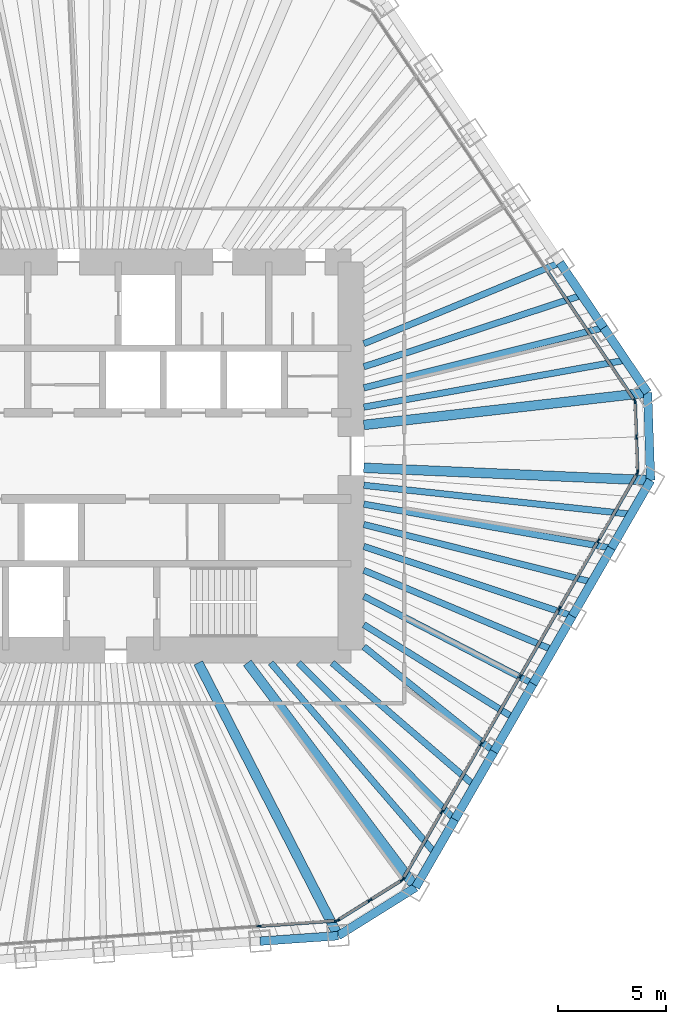
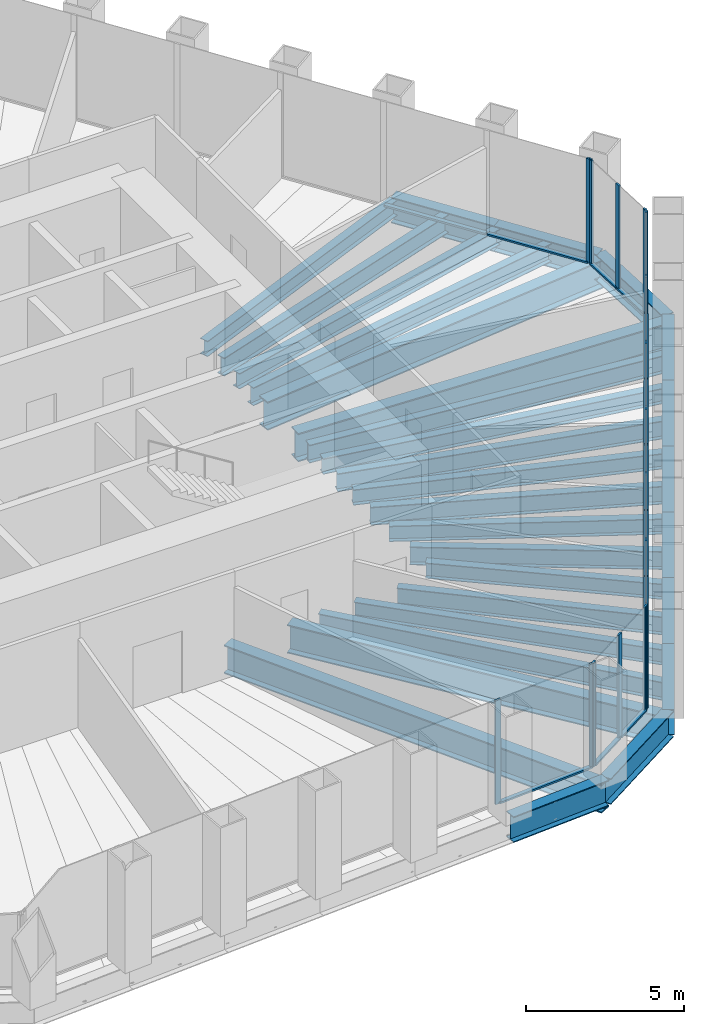
# One storey, part 4 of 14: 30 beams, 29 members, 5 elements without a shape of their own.
"""IFC4 building model written with IfcOpenShell, lengths in metres."""

from ifc_helpers import new_model, si_unit, direction, frame, origin, origin_2d, place, context, subcontext, project, spatial, rectangle, i_section, extrude, material, material_profile, profile_set, type_object, element, aggregate, save


model = new_model("IFC4")

# Units and contexts
model_context = context("Model", 3, precision=1e-05, world=origin(), true_north=direction((0.0, 1.0)))
body_context = subcontext(model_context, "Body", "Model", "MODEL_VIEW")
ifc_project = project(units=[si_unit("LENGTHUNIT", "METRE"), si_unit("AREAUNIT", "SQUARE_METRE"), si_unit("VOLUMEUNIT", "CUBIC_METRE"), si_unit("PLANEANGLEUNIT", "RADIAN"), si_unit("MASSUNIT", "GRAM", prefix="KILO")], contexts=[model_context])

# Site, building, storey
site_placement = place(None, origin())
site = spatial("IfcSite", under=ifc_project, at=site_placement, CompositionType="ELEMENT")
building_placement = place(site_placement, origin())
building = spatial("IfcBuilding", under=site, at=building_placement, Name="Qingtian Harvest Tower", CompositionType="ELEMENT")
storey_placement = place(building_placement, frame((0.0, 0.0, 235.0)))
storey = spatial("IfcBuildingStorey", under=building, at=storey_placement, Name="L51", CompositionType="ELEMENT", Elevation=235.0)

# Beams
ifc_material_1 = material(Name="Steel SM570MC", Category="steel")
ifc_material_profile_1 = material_profile(ifc_material_1, i_section(OverallWidth=0.449951171875, OverallDepth=1.10009765625, WebThickness=0.02197265625, FlangeThickness=0.044921875, at=origin_2d()), Name="H1100x450x22x45")
ifc_profile_set_1 = profile_set([ifc_material_profile_1], Name="Steel SM570MC")
beam_type_1 = type_object("IfcBeamType", Name="Corner floor beam FB8 H1100x450x22x45", PredefinedType="BEAM", material=ifc_profile_set_1)
beam_1_placement = place(storey_placement, frame((25.762451171875, 2.936279296875, -0.719970703125), z_axis=(-0.993566901619, -0.113246686522, 0.0), x_axis=(0.113246686522, -0.993566901619, 0.0)))
element("IfcBeam", 1, at=beam_1_placement, inside=storey, type_object=beam_type_1, Name="Floor beam FB8 NE6", PredefinedType="BEAM", context=body_context, shape_type="SweptSolid", body=[
    extrude(i_section(OverallWidth=0.449951171875, OverallDepth=1.10009765625, WebThickness=0.02197265625, FlangeThickness=0.044921875, at=origin_2d()), origin(), (0.0, 0.0, 1.0), 13.24755859375),
])
beam_2_placement = place(storey_placement, frame((25.904541015625, -1.1318359375, -0.719970703125), z_axis=(-0.999046865424, 0.043650437408, 0.0), x_axis=(-0.043650437408, -0.999046865424, 0.0)))
element("IfcBeam", 2, at=beam_2_placement, inside=storey, type_object=beam_type_1, Name="Floor beam FB8 SE0", PredefinedType="BEAM", context=body_context, shape_type="SweptSolid", body=[
    extrude(i_section(OverallWidth=0.449951171875, OverallDepth=1.10009765625, WebThickness=0.02197265625, FlangeThickness=0.044921875, at=origin_2d()), origin(), (0.0, 0.0, 1.0), 13.317138671875),
])
beam_3_placement = place(storey_placement, frame((15.00390625, -20.012451171875, -0.719970703125), z_axis=(-0.599858913609, 0.800105795357, 0.0), x_axis=(-0.800105795357, -0.599858913609, 0.0)))
element("IfcBeam", 3, at=beam_3_placement, inside=storey, type_object=beam_type_1, Name="Floor beam FB8 SE6", PredefinedType="BEAM", context=body_context, shape_type="SweptSolid", body=[
    extrude(i_section(OverallWidth=0.449951171875, OverallDepth=1.10009765625, WebThickness=0.02197265625, FlangeThickness=0.044921875, at=origin_2d()), origin(), (0.0, 0.0, 1.0), 13.013671875),
])
beam_4_placement = place(storey_placement, frame((11.40966796875, -22.25830078125, -0.719970703125), z_axis=(-0.456157396608, 0.889899111989, 0.0), x_axis=(-0.889899111989, -0.456157396608, 0.0)))
element("IfcBeam", 4, at=beam_4_placement, inside=storey, type_object=beam_type_1, Name="Floor beam FB8 S0", PredefinedType="BEAM", context=body_context, shape_type="SweptSolid", body=[
    extrude(i_section(OverallWidth=0.449951171875, OverallDepth=1.10009765625, WebThickness=0.02197265625, FlangeThickness=0.044921875, at=origin_2d()), origin(), (0.0, 0.0, 1.0), 14.224365234375),
])
ifc_material_2 = material(Name="Steel SN490B", Category="steel")
ifc_material_profile_2 = material_profile(ifc_material_2, i_section(OverallWidth=0.300048828125, OverallDepth=0.60009765625, WebThickness=0.011962890625, FlangeThickness=0.02001953125, at=origin_2d()), Name="H600x300x12x20")
ifc_profile_set_2 = profile_set([ifc_material_profile_2], Name="Steel SN490B")
beam_type_2 = type_object("IfcBeamType", Name="Floor beam FB3 H600x300x12x20", PredefinedType="BEAM", material=ifc_profile_set_2)
beam_5_placement = place(storey_placement, frame((21.69873046875, 8.9609375, -0.469970703125), z_axis=(-0.924281590361, -0.381711332973, 0.0), x_axis=(0.381711332973, -0.924281590361, 0.0)))
element("IfcBeam", 5, at=beam_5_placement, inside=storey, type_object=beam_type_2, Name="Floor beam FB3 NE4", PredefinedType="BEAM", context=body_context, shape_type="SweptSolid", body=[
    extrude(i_section(OverallWidth=0.300048828125, OverallDepth=0.60009765625, WebThickness=0.011962890625, FlangeThickness=0.02001953125, at=origin_2d()), origin(), (0.0, 0.0, 1.0), 9.843994140625),
])
beam_6_placement = place(storey_placement, frame((23.730712890625, 5.948486328125, -0.469970703125), z_axis=(-0.969990876487, -0.243141315972, 0.0), x_axis=(0.243141315972, -0.969990876487, 0.0)))
element("IfcBeam", 6, at=beam_6_placement, inside=storey, type_object=beam_type_2, Name="Floor beam FB3 NE5", PredefinedType="BEAM", context=body_context, shape_type="SweptSolid", body=[
    extrude(i_section(OverallWidth=0.300048828125, OverallDepth=0.60009765625, WebThickness=0.011962890625, FlangeThickness=0.02001953125, at=origin_2d()), origin(), (0.0, 0.0, 1.0), 11.474853515625),
])
beam_7_placement = place(storey_placement, frame((24.087890625, -4.27880859375, -0.469970703125), z_axis=(-0.98458469654, 0.174908477034, 0.0), x_axis=(-0.174908477034, -0.98458469654, 0.0)))
element("IfcBeam", 7, at=beam_7_placement, inside=storey, type_object=beam_type_2, Name="Floor beam FB3 SE1", PredefinedType="BEAM", context=body_context, shape_type="SweptSolid", body=[
    extrude(i_section(OverallWidth=0.300048828125, OverallDepth=0.60009765625, WebThickness=0.011962890625, FlangeThickness=0.02001953125, at=origin_2d()), origin(), (0.0, 0.0, 1.0), 11.667724609375),
])
beam_8_placement = place(storey_placement, frame((22.27099609375, -7.425537109375, -0.469970703125), z_axis=(-0.948654555734, 0.316313979908, 0.0), x_axis=(-0.316313979908, -0.948654555734, 0.0)))
element("IfcBeam", 8, at=beam_8_placement, inside=storey, type_object=beam_type_2, Name="Floor beam FB3 SE2", PredefinedType="BEAM", context=body_context, shape_type="SweptSolid", body=[
    extrude(i_section(OverallWidth=0.300048828125, OverallDepth=0.60009765625, WebThickness=0.011962890625, FlangeThickness=0.02001953125, at=origin_2d()), origin(), (0.0, 0.0, 1.0), 10.1943359375),
])
beam_9_placement = place(storey_placement, frame((20.454345703125, -10.572265625, -0.469970703125), z_axis=(-0.888343501027, 0.459179511938, 0.0), x_axis=(-0.459179511938, -0.888343501027, 0.0)))
element("IfcBeam", 9, at=beam_9_placement, inside=storey, type_object=beam_type_2, Name="Floor beam FB3 SE3", PredefinedType="BEAM", context=body_context, shape_type="SweptSolid", body=[
    extrude(i_section(OverallWidth=0.300048828125, OverallDepth=0.60009765625, WebThickness=0.011962890625, FlangeThickness=0.02001953125, at=origin_2d()), origin(), (0.0, 0.0, 1.0), 8.841552734375),
])
beam_10_placement = place(storey_placement, frame((18.637451171875, -13.718994140625, -0.469970703125), z_axis=(-0.77840907003, 0.62775737327, 0.0), x_axis=(-0.62775737327, -0.77840907003, 0.0)))
element("IfcBeam", 10, at=beam_10_placement, inside=storey, type_object=beam_type_2, Name="Floor beam FB3 SE4", PredefinedType="BEAM", context=body_context, shape_type="SweptSolid", body=[
    extrude(i_section(OverallWidth=0.300048828125, OverallDepth=0.60009765625, WebThickness=0.011962890625, FlangeThickness=0.02001953125, at=origin_2d()), origin(), (0.0, 0.0, 1.0), 7.756103515625),
])
beam_11_placement = place(storey_placement, frame((16.82080078125, -16.86572265625, -0.469970703125), z_axis=(-0.70616637797, 0.708045935392, 0.0), x_axis=(-0.708045935392, -0.70616637797, 0.0)))
element("IfcBeam", 11, at=beam_11_placement, inside=storey, type_object=beam_type_2, Name="Floor beam FB3 SE5", PredefinedType="BEAM", context=body_context, shape_type="SweptSolid", body=[
    extrude(i_section(OverallWidth=0.300048828125, OverallDepth=0.60009765625, WebThickness=0.011962890625, FlangeThickness=0.02001953125, at=origin_2d()), origin(), (0.0, 0.0, 1.0), 10.261474609375),
])
ifc_material_3 = material(Name="Steel SN490B", Category="steel")
ifc_material_profile_3 = material_profile(ifc_material_3, i_section(OverallWidth=0.300048828125, OverallDepth=0.699951171875, WebThickness=0.012939453125, FlangeThickness=0.02392578125, at=origin_2d()), Name="H700x300x13x24")
ifc_profile_set_3 = profile_set([ifc_material_profile_3], Name="Steel SN490B")
beam_type_3 = type_object("IfcBeamType", Name="Floor joist J2 H700x300x13x24", PredefinedType="JOIST", material=ifc_profile_set_3)
beam_12_placement = place(storey_placement, frame((22.71484375, 7.454833984375, -0.52001953125), z_axis=(-0.950138567513, -0.311828001508, 0.0), x_axis=(0.311828001508, -0.950138567513, 0.0)))
element("IfcBeam", 12, at=beam_12_placement, inside=storey, type_object=beam_type_3, Name="Floor joist J2 NE4", PredefinedType="JOIST", context=body_context, shape_type="SweptSolid", body=[
    extrude(i_section(OverallWidth=0.300048828125, OverallDepth=0.699951171875, WebThickness=0.012939453125, FlangeThickness=0.02392578125, at=origin_2d()), origin(), (0.0, 0.0, 1.0), 10.6455078125),
])
beam_13_placement = place(storey_placement, frame((24.74658203125, 4.4423828125, -0.52001953125), z_axis=(-0.98426723745, -0.176686177393, 0.0), x_axis=(0.176686177393, -0.98426723745, 0.0)))
element("IfcBeam", 13, at=beam_13_placement, inside=storey, type_object=beam_type_3, Name="Floor joist J2 NE5", PredefinedType="JOIST", context=body_context, shape_type="SweptSolid", body=[
    extrude(i_section(OverallWidth=0.300048828125, OverallDepth=0.699951171875, WebThickness=0.012939453125, FlangeThickness=0.02392578125, at=origin_2d()), origin(), (0.0, 0.0, 1.0), 12.340576171875),
])
beam_14_placement = place(storey_placement, frame((24.99609375, -2.705322265625, -0.52001953125), z_axis=(-0.994194656298, 0.107596400448, 0.0), x_axis=(-0.107596400448, -0.994194656298, 0.0)))
element("IfcBeam", 14, at=beam_14_placement, inside=storey, type_object=beam_type_3, Name="Floor joist J2 SE0", PredefinedType="JOIST", context=body_context, shape_type="SweptSolid", body=[
    extrude(i_section(OverallWidth=0.300048828125, OverallDepth=0.699951171875, WebThickness=0.012939453125, FlangeThickness=0.02392578125, at=origin_2d()), origin(), (0.0, 0.0, 1.0), 12.46826171875),
])
beam_15_placement = place(storey_placement, frame((23.179443359375, -5.85205078125, -0.52001953125), z_axis=(-0.969577887027, 0.244783007963, 0.0), x_axis=(-0.244783007963, -0.969577887027, 0.0)))
element("IfcBeam", 15, at=beam_15_placement, inside=storey, type_object=beam_type_3, Name="Floor joist J2 SE1", PredefinedType="JOIST", context=body_context, shape_type="SweptSolid", body=[
    extrude(i_section(OverallWidth=0.300048828125, OverallDepth=0.699951171875, WebThickness=0.012939453125, FlangeThickness=0.02392578125, at=origin_2d()), origin(), (0.0, 0.0, 1.0), 10.911376953125),
])
beam_16_placement = place(storey_placement, frame((21.362548828125, -8.998779296875, -0.52001953125), z_axis=(-0.921571079516, 0.388209666803, 0.0), x_axis=(-0.388209666803, -0.921571079516, 0.0)))
element("IfcBeam", 16, at=beam_16_placement, inside=storey, type_object=beam_type_3, Name="Floor joist J2 SE2", PredefinedType="JOIST", context=body_context, shape_type="SweptSolid", body=[
    extrude(i_section(OverallWidth=0.300048828125, OverallDepth=0.699951171875, WebThickness=0.012939453125, FlangeThickness=0.02392578125, at=origin_2d()), origin(), (0.0, 0.0, 1.0), 9.508056640625),
])
beam_17_placement = place(storey_placement, frame((19.5458984375, -12.1455078125, -0.52001953125), z_axis=(-0.849380822906, 0.527780463526, 0.0), x_axis=(-0.527780463526, -0.849380822906, 0.0)))
element("IfcBeam", 17, at=beam_17_placement, inside=storey, type_object=beam_type_3, Name="Floor joist J2 SE3", PredefinedType="JOIST", context=body_context, shape_type="SweptSolid", body=[
    extrude(i_section(OverallWidth=0.300048828125, OverallDepth=0.699951171875, WebThickness=0.012939453125, FlangeThickness=0.02392578125, at=origin_2d()), origin(), (0.0, 0.0, 1.0), 8.177490234375),
])
beam_18_placement = place(storey_placement, frame((17.72900390625, -15.292236328125, -0.52001953125), z_axis=(-0.757237954988, 0.653139096613, 0.0), x_axis=(-0.653139096613, -0.757237954988, 0.0)))
element("IfcBeam", 18, at=beam_18_placement, inside=storey, type_object=beam_type_3, Name="Floor joist J2 SE4", PredefinedType="JOIST", context=body_context, shape_type="SweptSolid", body=[
    extrude(i_section(OverallWidth=0.300048828125, OverallDepth=0.699951171875, WebThickness=0.012939453125, FlangeThickness=0.02392578125, at=origin_2d()), origin(), (0.0, 0.0, 1.0), 8.715087890625),
])
beam_19_placement = place(storey_placement, frame((15.912353515625, -18.43896484375, -0.52001953125), z_axis=(-0.653343257086, 0.757061812813, 0.0), x_axis=(-0.757061812813, -0.653343257086, 0.0)))
element("IfcBeam", 19, at=beam_19_placement, inside=storey, type_object=beam_type_3, Name="Floor joist J2 SE5", PredefinedType="JOIST", context=body_context, shape_type="SweptSolid", body=[
    extrude(i_section(OverallWidth=0.300048828125, OverallDepth=0.699951171875, WebThickness=0.012939453125, FlangeThickness=0.02392578125, at=origin_2d()), origin(), (0.0, 0.0, 1.0), 11.67529296875),
])

# Curtain wall, member
ifc_material_4 = material(Name="Bronze-anodised aluminium curtain wall", Category="aluminium")
curtain_wall_type = type_object("IfcCurtainWallType", Name="Curtain wall CW4 office", PredefinedType="USERDEFINED", material=ifc_material_4)
curtain_wall_1_placement = place(storey_placement, origin())
curtain_wall_1 = element("IfcCurtainWall", 20, at=curtain_wall_1_placement, inside=storey, type_object=curtain_wall_type, Name="Curtain wall CW4 L51 NE0-5", ObjectType="RECESSED CURTAIN WALL", PredefinedType="USERDEFINED")
ifc_material_5 = material(Name="Bronze-anodised aluminium mullion", Category="aluminium")
ifc_material_profile_4 = material_profile(ifc_material_5, rectangle(XDim=0.06494140625, YDim=0.199951171875, at=origin_2d()), Name="AL 65x200")
ifc_profile_set_4 = profile_set([ifc_material_profile_4], Name="Bronze-anodised aluminium mullion")
member_type_1 = type_object("IfcMemberType", Name="Mullion CWM 65x200", PredefinedType="MULLION", material=ifc_profile_set_4)
member_1_placement = place(storey_placement, frame((25.1640625, 2.57177734375, 0.0), z_axis=(0.0, 0.0, 1.0), x_axis=(0.829037572555, 0.559192903471, 0.0)))
member_1 = element("IfcMember", 21, at=member_1_placement, type_object=member_type_1, Name="CW4 mullion 7", PredefinedType="MULLION", context=body_context, shape_type="SweptSolid", body=[
    extrude(rectangle(XDim=0.06494140625, YDim=0.199951171875, at=origin_2d()), origin(), (0.0, 0.0, 1.0), 4.030029296875),
])

# Curtain wall, members
curtain_wall_2_placement = place(storey_placement, origin())
curtain_wall_2 = element("IfcCurtainWall", 22, at=curtain_wall_2_placement, inside=storey, type_object=curtain_wall_type, Name="Curtain wall CW4 L51 NEC", ObjectType="RECESSED CURTAIN WALL", PredefinedType="USERDEFINED")
member_2_placement = place(storey_placement, frame((25.183349609375, 2.51220703125, 0.0), z_axis=(0.0, 0.0, 1.0), x_axis=(0.999390827019, 0.034899496703, 0.0)))
member_2 = element("IfcMember", 23, at=member_2_placement, type_object=member_type_1, Name="CW4 mullion 1", PredefinedType="MULLION", context=body_context, shape_type="SweptSolid", body=[
    extrude(rectangle(XDim=0.06494140625, YDim=0.199951171875, at=origin_2d()), origin(), (0.0, 0.0, 1.0), 4.030029296875),
])
member_3_placement = place(storey_placement, frame((25.240234375, 0.88134765625, 0.0), z_axis=(0.0, 0.0, 1.0), x_axis=(0.999390827019, 0.034899496703, 0.0)))
member_3 = element("IfcMember", 24, at=member_3_placement, type_object=member_type_1, Name="CW4 mullion 2", PredefinedType="MULLION", context=body_context, shape_type="SweptSolid", body=[
    extrude(rectangle(XDim=0.06494140625, YDim=0.199951171875, at=origin_2d()), origin(), (0.0, 0.0, 1.0), 4.030029296875),
])
member_4_placement = place(storey_placement, frame((25.297119140625, -0.74951171875, 0.0), z_axis=(0.0, 0.0, 1.0), x_axis=(0.999390827019, 0.034899496703, 0.0)))
member_4 = element("IfcMember", 25, at=member_4_placement, type_object=member_type_1, Name="CW4 mullion 3", PredefinedType="MULLION", context=body_context, shape_type="SweptSolid", body=[
    extrude(rectangle(XDim=0.06494140625, YDim=0.199951171875, at=origin_2d()), origin(), (0.0, 0.0, 1.0), 4.030029296875),
])

curtain_wall_3_placement = place(storey_placement, origin())
curtain_wall_3 = element("IfcCurtainWall", 26, at=curtain_wall_3_placement, inside=storey, type_object=curtain_wall_type, Name="Curtain wall CW4 L51 SE0-5", ObjectType="RECESSED CURTAIN WALL", PredefinedType="USERDEFINED")
member_5_placement = place(storey_placement, frame((25.2822265625, -0.81005859375, 0.0), z_axis=(0.0, 0.0, 1.0), x_axis=(0.866025403784, -0.5, 0.0)))
member_5 = element("IfcMember", 27, at=member_5_placement, type_object=member_type_1, Name="CW4 mullion 1", PredefinedType="MULLION", context=body_context, shape_type="SweptSolid", body=[
    extrude(rectangle(XDim=0.06494140625, YDim=0.199951171875, at=origin_2d()), origin(), (0.0, 0.0, 1.0), 4.030029296875),
])
member_6_placement = place(storey_placement, frame((23.481689453125, -3.9287109375, 0.0), z_axis=(0.0, 0.0, 1.0), x_axis=(0.866025403784, -0.5, 0.0)))
member_6 = element("IfcMember", 28, at=member_6_placement, type_object=member_type_1, Name="CW4 mullion 2", PredefinedType="MULLION", context=body_context, shape_type="SweptSolid", body=[
    extrude(rectangle(XDim=0.06494140625, YDim=0.199951171875, at=origin_2d()), origin(), (0.0, 0.0, 1.0), 4.030029296875),
])
member_7_placement = place(storey_placement, frame((21.664794921875, -7.075439453125, 0.0), z_axis=(0.0, 0.0, 1.0), x_axis=(0.866025403784, -0.5, 0.0)))
member_7 = element("IfcMember", 29, at=member_7_placement, type_object=member_type_1, Name="CW4 mullion 3", PredefinedType="MULLION", context=body_context, shape_type="SweptSolid", body=[
    extrude(rectangle(XDim=0.06494140625, YDim=0.199951171875, at=origin_2d()), origin(), (0.0, 0.0, 1.0), 4.030029296875),
])
member_8_placement = place(storey_placement, frame((19.84814453125, -10.22216796875, 0.0), z_axis=(0.0, 0.0, 1.0), x_axis=(0.866025403784, -0.5, 0.0)))
member_8 = element("IfcMember", 30, at=member_8_placement, type_object=member_type_1, Name="CW4 mullion 4", PredefinedType="MULLION", context=body_context, shape_type="SweptSolid", body=[
    extrude(rectangle(XDim=0.06494140625, YDim=0.199951171875, at=origin_2d()), origin(), (0.0, 0.0, 1.0), 4.030029296875),
])
member_9_placement = place(storey_placement, frame((18.03125, -13.368896484375, 0.0), z_axis=(0.0, 0.0, 1.0), x_axis=(0.866025403784, -0.5, 0.0)))
member_9 = element("IfcMember", 31, at=member_9_placement, type_object=member_type_1, Name="CW4 mullion 5", PredefinedType="MULLION", context=body_context, shape_type="SweptSolid", body=[
    extrude(rectangle(XDim=0.06494140625, YDim=0.199951171875, at=origin_2d()), origin(), (0.0, 0.0, 1.0), 4.030029296875),
])
member_10_placement = place(storey_placement, frame((16.214599609375, -16.515625, 0.0), z_axis=(0.0, 0.0, 1.0), x_axis=(0.866025403784, -0.5, 0.0)))
member_10 = element("IfcMember", 32, at=member_10_placement, type_object=member_type_1, Name="CW4 mullion 6", PredefinedType="MULLION", context=body_context, shape_type="SweptSolid", body=[
    extrude(rectangle(XDim=0.06494140625, YDim=0.199951171875, at=origin_2d()), origin(), (0.0, 0.0, 1.0), 4.030029296875),
])
member_11_placement = place(storey_placement, frame((14.4140625, -19.63427734375, 0.0), z_axis=(0.0, 0.0, 1.0), x_axis=(0.866025403784, -0.5, 0.0)))
member_11 = element("IfcMember", 33, at=member_11_placement, type_object=member_type_1, Name="CW4 mullion 7", PredefinedType="MULLION", context=body_context, shape_type="SweptSolid", body=[
    extrude(rectangle(XDim=0.06494140625, YDim=0.199951171875, at=origin_2d()), origin(), (0.0, 0.0, 1.0), 4.030029296875),
])

curtain_wall_4_placement = place(storey_placement, origin())
curtain_wall_4 = element("IfcCurtainWall", 34, at=curtain_wall_4_placement, inside=storey, type_object=curtain_wall_type, Name="Curtain wall CW4 L51 SEC", ObjectType="RECESSED CURTAIN WALL", PredefinedType="USERDEFINED")
member_12_placement = place(storey_placement, frame((14.3701171875, -19.6796875, 0.0), z_axis=(0.0, 0.0, 1.0), x_axis=(0.529919264233, -0.848048096156, 0.0)))
member_12 = element("IfcMember", 35, at=member_12_placement, type_object=member_type_1, Name="CW4 mullion 1", PredefinedType="MULLION", context=body_context, shape_type="SweptSolid", body=[
    extrude(rectangle(XDim=0.06494140625, YDim=0.199951171875, at=origin_2d()), origin(), (0.0, 0.0, 1.0), 4.030029296875),
])
member_13_placement = place(storey_placement, frame((12.87939453125, -20.611328125, 0.0), z_axis=(0.0, 0.0, 1.0), x_axis=(0.529919264233, -0.848048096156, 0.0)))
member_13 = element("IfcMember", 36, at=member_13_placement, type_object=member_type_1, Name="CW4 mullion 2", PredefinedType="MULLION", context=body_context, shape_type="SweptSolid", body=[
    extrude(rectangle(XDim=0.06494140625, YDim=0.199951171875, at=origin_2d()), origin(), (0.0, 0.0, 1.0), 4.030029296875),
])
member_14_placement = place(storey_placement, frame((11.388427734375, -21.542724609375, 0.0), z_axis=(0.0, 0.0, 1.0), x_axis=(0.529919264233, -0.848048096156, 0.0)))
member_14 = element("IfcMember", 37, at=member_14_placement, type_object=member_type_1, Name="CW4 mullion 3", PredefinedType="MULLION", context=body_context, shape_type="SweptSolid", body=[
    extrude(rectangle(XDim=0.06494140625, YDim=0.199951171875, at=origin_2d()), origin(), (0.0, 0.0, 1.0), 4.030029296875),
])

curtain_wall_5_placement = place(storey_placement, origin())
curtain_wall_5 = element("IfcCurtainWall", 38, at=curtain_wall_5_placement, inside=storey, type_object=curtain_wall_type, Name="Curtain wall CW4 L51 S0-5", ObjectType="RECESSED CURTAIN WALL", PredefinedType="USERDEFINED")
member_15_placement = place(storey_placement, frame((11.32861328125, -21.562255859375, 0.0), z_axis=(0.0, 0.0, 1.0), x_axis=(0.069756473744, -0.99756405026, 0.0)))
member_15 = element("IfcMember", 39, at=member_15_placement, type_object=member_type_1, Name="CW4 mullion 1", PredefinedType="MULLION", context=body_context, shape_type="SweptSolid", body=[
    extrude(rectangle(XDim=0.06494140625, YDim=0.199951171875, at=origin_2d()), origin(), (0.0, 0.0, 1.0), 4.030029296875),
])
member_16_placement = place(storey_placement, frame((7.736328125, -21.8134765625, 0.0), z_axis=(0.0, 0.0, 1.0), x_axis=(0.069756473744, -0.99756405026, 0.0)))
member_16 = element("IfcMember", 40, at=member_16_placement, type_object=member_type_1, Name="CW4 mullion 2", PredefinedType="MULLION", context=body_context, shape_type="SweptSolid", body=[
    extrude(rectangle(XDim=0.06494140625, YDim=0.199951171875, at=origin_2d()), origin(), (0.0, 0.0, 1.0), 4.030029296875),
])

# Beams
ifc_material_6 = material(Name="Steel SN490B", Category="steel")
ifc_material_profile_5 = material_profile(ifc_material_6, i_section(OverallWidth=0.39990234375, OverallDepth=1.0, WebThickness=0.01904296875, FlangeThickness=0.035888671875, at=origin_2d()), Name="H1000x400x19x36")
ifc_profile_set_5 = profile_set([ifc_material_profile_5], Name="Steel SN490B")
beam_type_4 = type_object("IfcBeamType", Name="Spandrel beam SB3 H1000x400x19x36", PredefinedType="SPANDREL", material=ifc_profile_set_5)
beam_20_placement = place(storey_placement, frame((21.69873046875, 8.9609375, -0.5), z_axis=(0.55920395902, -0.829030115385, 0.0), x_axis=(0.829030115385, 0.55920395902, 0.0)))
element("IfcBeam", 41, at=beam_20_placement, inside=storey, type_object=beam_type_4, Name="Spandrel SB3 NE4", PredefinedType="SPANDREL", context=body_context, shape_type="SweptSolid", body=[
    extrude(i_section(OverallWidth=0.39990234375, OverallDepth=1.0, WebThickness=0.01904296875, FlangeThickness=0.035888671875, at=origin_2d()), origin(), (0.0, 0.0, 1.0), 3.6337890625),
])
beam_21_placement = place(storey_placement, frame((23.730712890625, 5.948486328125, -0.5), z_axis=(0.559188928021, -0.829040254016, 0.0), x_axis=(0.829040254016, 0.559188928021, 0.0)))
element("IfcBeam", 42, at=beam_21_placement, inside=storey, type_object=beam_type_4, Name="Spandrel SB3 NE5", PredefinedType="SPANDREL", context=body_context, shape_type="SweptSolid", body=[
    extrude(i_section(OverallWidth=0.39990234375, OverallDepth=1.0, WebThickness=0.01904296875, FlangeThickness=0.035888671875, at=origin_2d()), origin(), (0.0, 0.0, 1.0), 3.63330078125),
])
beam_22_placement = place(storey_placement, frame((25.762451171875, 2.936279296875, -0.5), z_axis=(0.03490639867, -0.999390585973, 0.0), x_axis=(0.999390585973, 0.03490639867, 0.0)))
element("IfcBeam", 43, at=beam_22_placement, inside=storey, type_object=beam_type_4, Name="Spandrel SB3 NEC", PredefinedType="SPANDREL", context=body_context, shape_type="SweptSolid", body=[
    extrude(i_section(OverallWidth=0.39990234375, OverallDepth=1.0, WebThickness=0.01904296875, FlangeThickness=0.035888671875, at=origin_2d()), origin(), (0.0, 0.0, 1.0), 4.070556640625),
])
beam_23_placement = place(storey_placement, frame((25.904541015625, -1.1318359375, -0.5), z_axis=(-0.499947341849, -0.866055803848, 0.0), x_axis=(0.866055803848, -0.499947341849, 0.0)))
element("IfcBeam", 44, at=beam_23_placement, inside=storey, type_object=beam_type_4, Name="Spandrel SB3 SE0", PredefinedType="SPANDREL", context=body_context, shape_type="SweptSolid", body=[
    extrude(i_section(OverallWidth=0.39990234375, OverallDepth=1.0, WebThickness=0.01904296875, FlangeThickness=0.035888671875, at=origin_2d()), origin(), (0.0, 0.0, 1.0), 3.6337890625),
])
for number, where, z_axis, x_axis, name in (
    (45, (24.087890625, -4.27880859375, -0.5), (-0.500026827678, -0.866009914263, 0.0), (0.866009914263, -0.500026827678, 0.0), "Spandrel SB3 SE1"),
    (46, (22.27099609375, -7.425537109375, -0.5), (-0.499976434558, -0.866039008871, 0.0), (0.866039008871, -0.499976434558, 0.0), "Spandrel SB3 SE2"),
    (47, (20.454345703125, -10.572265625, -0.5), (-0.500026827678, -0.866009914263, 0.0), (0.866009914263, -0.500026827678, 0.0), "Spandrel SB3 SE3"),
    (48, (18.637451171875, -13.718994140625, -0.5), (-0.499976434558, -0.866039008871, 0.0), (0.866039008871, -0.499976434558, 0.0), "Spandrel SB3 SE4"),
    (49, (16.82080078125, -16.86572265625, -0.5), (-0.500026827678, -0.866009914263, 0.0), (0.866009914263, -0.500026827678, 0.0), "Spandrel SB3 SE5"),
):
    element("IfcBeam", number, at=place(storey_placement, frame(where, z_axis=z_axis, x_axis=x_axis)), inside=storey, type_object=beam_type_4, Name=name, PredefinedType="SPANDREL", context=body_context, shape_type="SweptSolid", body=[
        extrude(i_section(OverallWidth=0.39990234375, OverallDepth=1.0, WebThickness=0.01904296875, FlangeThickness=0.035888671875, at=origin_2d()), origin(), (0.0, 0.0, 1.0), 3.633544921875),
    ])
beam_24_placement = place(storey_placement, frame((15.00390625, -20.012451171875, -0.5), z_axis=(-0.848056550838, -0.529905733675, 0.0), x_axis=(0.529905733675, -0.848056550838, 0.0)))
element("IfcBeam", 50, at=beam_24_placement, inside=storey, type_object=beam_type_4, Name="Spandrel SB3 SEC", PredefinedType="SPANDREL", context=body_context, shape_type="SweptSolid", body=[
    extrude(i_section(OverallWidth=0.39990234375, OverallDepth=1.0, WebThickness=0.01904296875, FlangeThickness=0.035888671875, at=origin_2d()), origin(), (0.0, 0.0, 1.0), 4.23828125),
])
beam_25_placement = place(storey_placement, frame((11.40966796875, -22.25830078125, -0.5), z_axis=(-0.997564674207, -0.069747550305, 0.0), x_axis=(0.069747550305, -0.997564674207, 0.0)))
element("IfcBeam", 51, at=beam_25_placement, inside=storey, type_object=beam_type_4, Name="Spandrel SB3 S0", PredefinedType="SPANDREL", context=body_context, shape_type="SweptSolid", body=[
    extrude(i_section(OverallWidth=0.39990234375, OverallDepth=1.0, WebThickness=0.01904296875, FlangeThickness=0.035888671875, at=origin_2d()), origin(), (0.0, 0.0, 1.0), 3.63330078125),
])

# Member
ifc_material_7 = material(Name="Bronze-anodised aluminium transom", Category="aluminium")
ifc_material_profile_6 = material_profile(ifc_material_7, rectangle(XDim=0.14990234375, YDim=0.06494140625, at=origin_2d()), Name="AL 65x150")
ifc_profile_set_6 = profile_set([ifc_material_profile_6], Name="Bronze-anodised aluminium transom")
member_type_2 = type_object("IfcMemberType", Name="Transom CWT 65x150", PredefinedType="USERDEFINED", material=ifc_profile_set_6)
member_17_placement = place(storey_placement, frame((21.13671875, 8.54248046875, 0.032470703125), z_axis=(0.559160259871, -0.829059590006, 0.0), x_axis=(0.829059590006, 0.559160259871, 0.0)))
member_17 = element("IfcMember", 52, at=member_17_placement, type_object=member_type_2, Name="CW4 transom 5.1", ObjectType="TRANSOM", PredefinedType="USERDEFINED", context=body_context, shape_type="SweptSolid", body=[
    extrude(rectangle(XDim=0.14990234375, YDim=0.06494140625, at=origin_2d()), origin(), (0.0, 0.0, 1.0), 3.568603515625),
])

member_18_placement = place(storey_placement, frame((23.16845703125, 5.5302734375, 0.032470703125), z_axis=(0.559169259008, -0.829053520456, 0.0), x_axis=(0.829053520456, 0.559169259008, 0.0)))
member_18 = element("IfcMember", 53, at=member_18_placement, type_object=member_type_2, Name="CW4 transom 6.1", ObjectType="TRANSOM", PredefinedType="USERDEFINED", context=body_context, shape_type="SweptSolid", body=[
    extrude(rectangle(XDim=0.14990234375, YDim=0.06494140625, at=origin_2d()), origin(), (0.0, 0.0, 1.0), 3.5361328125),
])

aggregate(curtain_wall_1, [member_1, member_17, member_18])

member_19_placement = place(storey_placement, frame((25.1845703125, 2.479736328125, 0.032470703125), z_axis=(0.034902326647, -0.999390728191, 0.0), x_axis=(0.999390728191, 0.034902326647, 0.0)))
member_19 = element("IfcMember", 54, at=member_19_placement, type_object=member_type_2, Name="CW4 transom 1.1", ObjectType="TRANSOM", PredefinedType="USERDEFINED", context=body_context, shape_type="SweptSolid", body=[
    extrude(rectangle(XDim=0.14990234375, YDim=0.06494140625, at=origin_2d()), origin(), (0.0, 0.0, 1.0), 1.56689453125),
])

member_20_placement = place(storey_placement, frame((25.241455078125, 0.848876953125, 0.032470703125), z_axis=(0.034902326647, -0.999390728191, 0.0), x_axis=(0.999390728191, 0.034902326647, 0.0)))
member_20 = element("IfcMember", 55, at=member_20_placement, type_object=member_type_2, Name="CW4 transom 2.1", ObjectType="TRANSOM", PredefinedType="USERDEFINED", context=body_context, shape_type="SweptSolid", body=[
    extrude(rectangle(XDim=0.14990234375, YDim=0.06494140625, at=origin_2d()), origin(), (0.0, 0.0, 1.0), 1.56689453125),
])

aggregate(curtain_wall_2, [member_2, member_3, member_4, member_19, member_20])

member_21_placement = place(storey_placement, frame((25.265869140625, -0.838134765625, 0.032470703125), z_axis=(-0.499985409597, -0.866033827394, 0.0), x_axis=(0.866033827394, -0.499985409597, 0.0)))
member_21 = element("IfcMember", 56, at=member_21_placement, type_object=member_type_2, Name="CW4 transom 1.1", ObjectType="TRANSOM", PredefinedType="USERDEFINED", context=body_context, shape_type="SweptSolid", body=[
    extrude(rectangle(XDim=0.14990234375, YDim=0.06494140625, at=origin_2d()), origin(), (0.0, 0.0, 1.0), 3.5361328125),
])

member_22_placement = place(storey_placement, frame((23.46533203125, -3.956787109375, 0.032470703125), z_axis=(-0.499965259726, -0.866045460162, 0.0), x_axis=(0.866045460162, -0.499965259726, 0.0)))
member_22 = element("IfcMember", 57, at=member_22_placement, type_object=member_type_2, Name="CW4 transom 2.1", ObjectType="TRANSOM", PredefinedType="USERDEFINED", context=body_context, shape_type="SweptSolid", body=[
    extrude(rectangle(XDim=0.14990234375, YDim=0.06494140625, at=origin_2d()), origin(), (0.0, 0.0, 1.0), 3.568603515625),
])

member_23_placement = place(storey_placement, frame((21.648681640625, -7.103515625, 0.032470703125), z_axis=(-0.500016569533, -0.866015837149, 0.0), x_axis=(0.866015837149, -0.500016569533, 0.0)))
member_23 = element("IfcMember", 58, at=member_23_placement, type_object=member_type_2, Name="CW4 transom 3.1", ObjectType="TRANSOM", PredefinedType="USERDEFINED", context=body_context, shape_type="SweptSolid", body=[
    extrude(rectangle(XDim=0.14990234375, YDim=0.06494140625, at=origin_2d()), origin(), (0.0, 0.0, 1.0), 3.56884765625),
])

member_24_placement = place(storey_placement, frame((19.831787109375, -10.250244140625, 0.032470703125), z_axis=(-0.499965259726, -0.866045460162, 0.0), x_axis=(0.866045460162, -0.499965259726, 0.0)))
member_24 = element("IfcMember", 59, at=member_24_placement, type_object=member_type_2, Name="CW4 transom 4.1", ObjectType="TRANSOM", PredefinedType="USERDEFINED", context=body_context, shape_type="SweptSolid", body=[
    extrude(rectangle(XDim=0.14990234375, YDim=0.06494140625, at=origin_2d()), origin(), (0.0, 0.0, 1.0), 3.568603515625),
])

member_25_placement = place(storey_placement, frame((18.014892578125, -13.39697265625, 0.032470703125), z_axis=(-0.499965259726, -0.866045460162, 0.0), x_axis=(0.866045460162, -0.499965259726, 0.0)))
member_25 = element("IfcMember", 60, at=member_25_placement, type_object=member_type_2, Name="CW4 transom 5.1", ObjectType="TRANSOM", PredefinedType="USERDEFINED", context=body_context, shape_type="SweptSolid", body=[
    extrude(rectangle(XDim=0.14990234375, YDim=0.06494140625, at=origin_2d()), origin(), (0.0, 0.0, 1.0), 3.568603515625),
])

member_26_placement = place(storey_placement, frame((16.1982421875, -16.5439453125, 0.032470703125), z_axis=(-0.500015305566, -0.866016566931, 0.0), x_axis=(0.866016566931, -0.500015305566, 0.0)))
member_26 = element("IfcMember", 61, at=member_26_placement, type_object=member_type_2, Name="CW4 transom 6.1", ObjectType="TRANSOM", PredefinedType="USERDEFINED", context=body_context, shape_type="SweptSolid", body=[
    extrude(rectangle(XDim=0.14990234375, YDim=0.06494140625, at=origin_2d()), origin(), (0.0, 0.0, 1.0), 3.5361328125),
])

aggregate(curtain_wall_3, [member_5, member_6, member_7, member_8, member_9, member_10, member_11, member_21, member_22, member_23, member_24, member_25, member_26])

member_27_placement = place(storey_placement, frame((14.342529296875, -19.69677734375, 0.032470703125), z_axis=(-0.847998304005, -0.529998940003, 0.0), x_axis=(0.529998940003, -0.847998304005, 0.0)))
member_27 = element("IfcMember", 62, at=member_27_placement, type_object=member_type_2, Name="CW4 transom 1.1", ObjectType="TRANSOM", PredefinedType="USERDEFINED", context=body_context, shape_type="SweptSolid", body=[
    extrude(rectangle(XDim=0.14990234375, YDim=0.06494140625, at=origin_2d()), origin(), (0.0, 0.0, 1.0), 1.69287109375),
])

member_28_placement = place(storey_placement, frame((12.851806640625, -20.62841796875, 0.032470703125), z_axis=(-0.84803880708, -0.529934129573, 0.0), x_axis=(0.529934129573, -0.84803880708, 0.0)))
member_28 = element("IfcMember", 63, at=member_28_placement, type_object=member_type_2, Name="CW4 transom 2.1", ObjectType="TRANSOM", PredefinedType="USERDEFINED", context=body_context, shape_type="SweptSolid", body=[
    extrude(rectangle(XDim=0.14990234375, YDim=0.06494140625, at=origin_2d()), origin(), (0.0, 0.0, 1.0), 1.693115234375),
])

aggregate(curtain_wall_4, [member_12, member_13, member_14, member_27, member_28])

member_29_placement = place(storey_placement, frame((11.296142578125, -21.564453125, 0.032470703125), z_axis=(-0.997561034679, -0.069799585166, 0.0), x_axis=(0.069799585166, -0.997561034679, 0.0)))
member_29 = element("IfcMember", 64, at=member_29_placement, type_object=member_type_2, Name="CW4 transom 1.1", ObjectType="TRANSOM", PredefinedType="USERDEFINED", context=body_context, shape_type="SweptSolid", body=[
    extrude(rectangle(XDim=0.14990234375, YDim=0.06494140625, at=origin_2d()), origin(), (0.0, 0.0, 1.0), 3.5361328125),
])

aggregate(curtain_wall_5, [member_15, member_16, member_29])

save(model, "model.ifc")
